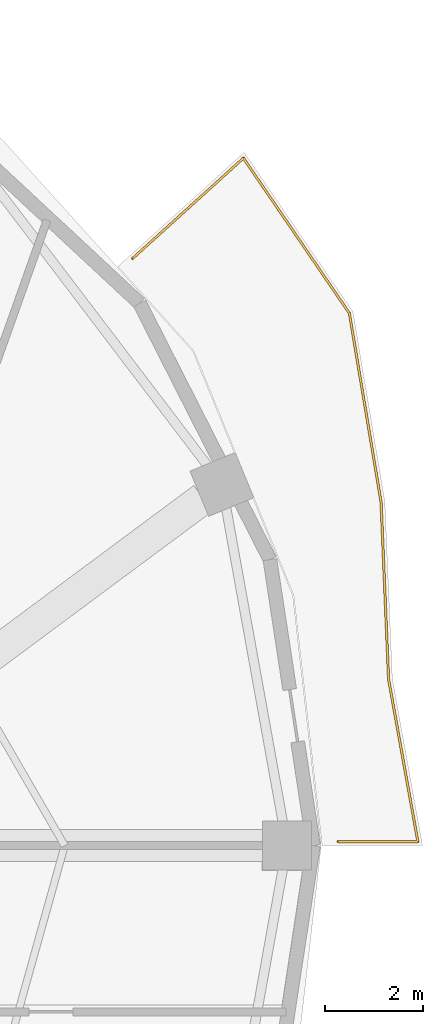
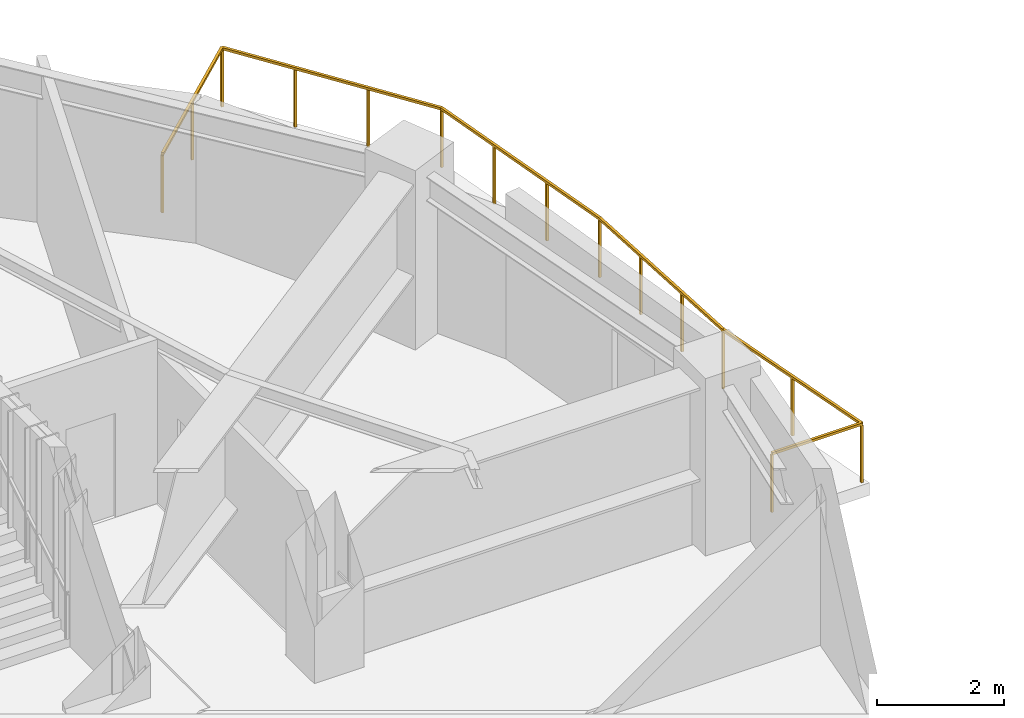
# One storey, part 10 of 10: 1 railing.
"""IFC4 building model written with IfcOpenShell, lengths in metres."""

import ifcopenshell
import ifcopenshell.guid

model = None  # the IFC model being written
_history = None  # IfcOwnerHistory: only IFC2X3 demands one
_inside = {}  # id of a spatial element -> (the spatial element, [elements in it])
_under = {}  # id of a project, library or spatial element -> (it, [spatial elements below it])
_declared = {}  # id of a project -> (the project, [libraries it declares])
_typed = {}  # id of a type object -> (the type object, [elements of that type])
_made_of = {}  # id of a material, layer set ... -> (it, [elements and type objects made of it])


def new_model(schema):
    """Start an empty IFC model of exactly this schema.

    Asked for "IFC4X3", IfcOpenShell would pick the latest addendum, in which some entities
    have other attributes; the version numbers below select the first issue.
    IFC2X3 requires an IfcOwnerHistory on every rooted entity: one is made here for all.
    """
    global model, _history
    if schema == "IFC4X3":
        model = ifcopenshell.file(schema_version=(4, 3, 0, 0))
    else:
        model = ifcopenshell.file(schema=schema)
    _inside.clear()
    _under.clear()
    _declared.clear()
    _typed.clear()
    _made_of.clear()
    _history = None
    if model.schema == "IFC2X3":
        org = make("IfcOrganization", Name="unknown")
        user = make(
            "IfcPersonAndOrganization",
            ThePerson=make("IfcPerson", FamilyName="unknown"),
            TheOrganization=org,
        )
        app = make(
            "IfcApplication",
            ApplicationDeveloper=org,
            Version="unknown",
            ApplicationFullName="unknown",
            ApplicationIdentifier="unknown",
        )
        _history = make(
            "IfcOwnerHistory",
            OwningUser=user,
            OwningApplication=app,
            ChangeAction="ADDED",
            CreationDate=0,
        )
    return model


def make(cls, **values):
    """One entity of the class cls with the attributes given. An attribute that is None is left unset."""
    return model.create_entity(
        cls, **{name: value for name, value in values.items() if value is not None}
    )


def rooted(cls, **values):
    """An entity with a GlobalId (a new one), such as an element, a storey or a relation."""
    return make(cls, GlobalId=ifcopenshell.guid.new(), OwnerHistory=_history, **values)


def si_unit(unit_type, name, prefix=None):
    """IfcSIUnit, for example si_unit("LENGTHUNIT", "METRE", prefix="MILLI")."""
    return make("IfcSIUnit", UnitType=unit_type, Prefix=prefix, Name=name)


def assignment(units):
    """IfcUnitAssignment: the units of a project."""
    return None if units is None else make("IfcUnitAssignment", Units=units)


def point(xyz):
    """IfcCartesianPoint."""
    return None if xyz is None else make("IfcCartesianPoint", Coordinates=xyz)


def direction(xyz):
    """IfcDirection."""
    return None if xyz is None else make("IfcDirection", DirectionRatios=xyz)


def frame(location, z_axis=None, x_axis=None):
    """IfcAxis2Placement3D, a coordinate frame: its origin and axes. An axis left out is left unset."""
    return make(
        "IfcAxis2Placement3D",
        Location=point(location),
        Axis=direction(z_axis),
        RefDirection=direction(x_axis),
    )


def frame_2d(location, x_axis=None):
    """IfcAxis2Placement2D, a coordinate frame in the plane: its origin and x axis."""
    return make(
        "IfcAxis2Placement2D", Location=point(location), RefDirection=direction(x_axis)
    )


def origin():
    """The frame at (0, 0, 0) with its axes left unset."""
    return frame((0.0, 0.0, 0.0))


def origin_2d():
    """The frame at (0, 0) in the plane with its x axis left unset."""
    return frame_2d((0.0, 0.0))


def place(relative_to, where):
    """IfcLocalPlacement: puts the frame where relative to a parent placement (None: the world)."""
    return make(
        "IfcLocalPlacement", PlacementRelTo=relative_to, RelativePlacement=where
    )


def context(
    kind, dimensions, precision=None, world=None, true_north=None, identifier=None
):
    """IfcGeometricRepresentationContext, for example the 3D "Model" context."""
    return make(
        "IfcGeometricRepresentationContext",
        ContextIdentifier=identifier,
        ContextType=kind,
        CoordinateSpaceDimension=dimensions,
        Precision=precision,
        WorldCoordinateSystem=world,
        TrueNorth=true_north,
    )


def subcontext(parent, identifier, kind, view, scale=None):
    """IfcGeometricRepresentationSubContext, for example "Body" below "Model"."""
    return make(
        "IfcGeometricRepresentationSubContext",
        ContextIdentifier=identifier,
        ContextType=kind,
        ParentContext=parent,
        TargetScale=scale,
        TargetView=view,
    )


def project(units=None, contexts=None):
    """IfcProject with its units and contexts."""
    return rooted(
        "IfcProject",
        Name="project",
        RepresentationContexts=contexts,
        UnitsInContext=assignment(units),
    )


def spatial(cls, under=None, at=None, **own):
    """A site, building, storey or space (cls), placed at a placement, below another one or the project."""
    s = rooted(cls, ObjectPlacement=at, **own)
    if under is not None:
        _under.setdefault(under.id(), (under, []))[1].append(s)
    return s


def profile(cls, at=None, kind="AREA", **sizes):
    """A parametric profile (cls). Its sizes go by their IFC names, for example OverallWidth=200.0."""
    return make(cls, ProfileType=kind, Position=at, **sizes)


def rectangle(**sizes):
    """IfcRectangleProfileDef."""
    return profile("IfcRectangleProfileDef", **sizes)


def extrude(swept, where, along, depth):
    """IfcExtrudedAreaSolid: the profile swept, set in the frame where, extruded along a direction by depth."""
    return make(
        "IfcExtrudedAreaSolid",
        SweptArea=swept,
        Position=where,
        ExtrudedDirection=direction(along),
        Depth=depth,
    )


def shape(context_of_items, identifier, shape_type, items):
    """IfcShapeRepresentation: the items that make up one representation, for example the "Body"."""
    return make(
        "IfcShapeRepresentation",
        ContextOfItems=context_of_items,
        RepresentationIdentifier=identifier,
        RepresentationType=shape_type,
        Items=items,
    )


def material(Name=None, Category=None):
    """IfcMaterial."""
    return make("IfcMaterial", Name=Name, Category=Category)


def made_of(thing, what):
    """Note that an element or type object is made of a material, layer set ...; save() writes the relation."""
    if what is not None:
        _made_of.setdefault(what.id(), (what, []))[1].append(thing)
    return thing


def type_object(cls, material=None, **own):
    """A type object (cls), such as IfcWallType, which elements share."""
    return made_of(rooted(cls, **own), material)


def element(
    cls,
    number,
    at=None,
    inside=None,
    cuts=None,
    type_object=None,
    material=None,
    context=None,
    identifier="Body",
    shape_type=None,
    held_by="IfcProductDefinitionShape",
    body=None,
    shapes=None,
    **own,
):
    """One element of the class cls, such as IfcWall. Its Tag is "e" and its number.

    at: its placement. inside: the storey or other place that contains it. cuts: it is an
    opening in that element (IfcRelVoidsElement). A single representation is given by context,
    identifier, shape_type and body (its items); several are given by shapes. held_by: the class
    of the entity that holds the representations. save() writes the other relations.
    """
    e = rooted(cls, Tag="e%d" % number, ObjectPlacement=at, **own)
    if body is not None:
        shapes = [shape(context, identifier, shape_type, body)]
    if shapes is not None:
        e.Representation = make(held_by, Representations=shapes)
    if inside is not None:
        _inside.setdefault(inside.id(), (inside, []))[1].append(e)
    if cuts is not None:
        rooted(
            "IfcRelVoidsElement", RelatingBuildingElement=cuts, RelatedOpeningElement=e
        )
    if type_object is not None:
        _typed.setdefault(type_object.id(), (type_object, []))[1].append(e)
    return made_of(e, material)


def aggregate(whole, parts):
    """IfcRelAggregates: a whole, such as a stair, and the parts it consists of."""
    return rooted("IfcRelAggregates", RelatingObject=whole, RelatedObjects=parts)


def save(model, path):
    """Write the relations noted so far, then the file.

    IfcRelAggregates (storeys below a building ...), IfcRelContainedInSpatialStructure (elements
    in a storey), IfcRelDefinesByType, IfcRelAssociatesMaterial and IfcRelDeclares: one each for
    every whole, place, type object, material and project.
    """
    for whole, parts in _under.values():
        aggregate(whole, parts)
    for where, things in _inside.values():
        rooted(
            "IfcRelContainedInSpatialStructure",
            RelatedElements=things,
            RelatingStructure=where,
        )
    for kind, things in _typed.values():
        rooted("IfcRelDefinesByType", RelatedObjects=things, RelatingType=kind)
    for what, things in _made_of.values():
        rooted("IfcRelAssociatesMaterial", RelatedObjects=things, RelatingMaterial=what)
    for by, libraries in _declared.values():
        rooted("IfcRelDeclares", RelatingContext=by, RelatedDefinitions=libraries)
    model.write(path)


model = new_model("IFC4")

# Units and contexts
model_context = context("Model", 3, precision=1e-05, world=origin(), true_north=direction((0.0, 1.0)))
body_context = subcontext(model_context, "Body", "Model", "MODEL_VIEW")
ifc_project = project(units=[si_unit("LENGTHUNIT", "METRE"), si_unit("AREAUNIT", "SQUARE_METRE"), si_unit("VOLUMEUNIT", "CUBIC_METRE"), si_unit("PLANEANGLEUNIT", "RADIAN"), si_unit("MASSUNIT", "GRAM", prefix="KILO")], contexts=[model_context])

# Site, building, storey
site_placement = place(None, origin())
site = spatial("IfcSite", under=ifc_project, at=site_placement, CompositionType="ELEMENT")
building_placement = place(site_placement, origin())
building = spatial("IfcBuilding", under=site, at=building_placement, Name="Haldorwick Loom Tower", CompositionType="ELEMENT")
storey_placement = place(building_placement, frame((0.0, 0.0, 269.550048828125)))
storey = spatial("IfcBuildingStorey", under=building, at=storey_placement, Name="L73", CompositionType="ELEMENT", Elevation=269.550048828125)

# Railing
ifc_material = material(Name="Galvanized Steel CSA G40.21 350W", Category="steel")
railing_type = type_object("IfcRailingType", Name="ARC-RLG-BAL115", PredefinedType="BALUSTRADE", material=ifc_material)
railing_placement = place(storey_placement, frame((57.177001953125, 38.005615234375, 0.0)))
element("IfcRailing", 1, at=railing_placement, inside=storey, type_object=railing_type, Name="L73 Outdoor Terrace Guardrail SLB-L73-BAL_ENE-1", PredefinedType="BALUSTRADE", context=body_context, shape_type="SweptSolid", body=[
    extrude(rectangle(XDim=0.048095703125, YDim=0.048095703125, at=origin_2d()), frame((0.0, 0.0, 1.1259765625), z_axis=(0.741584946857, 0.670858976683, 0.0), x_axis=(-0.670858976683, 0.741584946857, 0.0)), (0.0, 0.0, 1.0), 3.058349609375),
    extrude(rectangle(XDim=0.048095703125, YDim=0.048095703125, at=origin_2d()), frame((2.26806640625, 2.0517578125, 1.1259765625), z_axis=(0.564025089153, -0.825757651376, 0.0), x_axis=(0.825757651376, 0.564025089153, 0.0)), (0.0, 0.0, 1.0), 3.84033203125),
    extrude(rectangle(XDim=0.048095703125, YDim=0.048095703125, at=origin_2d()), frame((4.43408203125, -1.119384765625, 1.1259765625), z_axis=(0.165582589348, -0.986195926834, 0.0), x_axis=(0.986195926834, 0.165582589348, 0.0)), (0.0, 0.0, 1.0), 3.9130859375),
    extrude(rectangle(XDim=0.048095703125, YDim=0.048095703125, at=origin_2d()), frame((5.08203125, -4.978515625, 1.1259765625), z_axis=(0.042434606973, -0.999099246387, 0.0), x_axis=(0.999099246387, 0.042434606973, 0.0)), (0.0, 0.0, 1.0), 3.62451171875),
    extrude(rectangle(XDim=0.048095703125, YDim=0.048095703125, at=origin_2d()), frame((5.23583984375, -8.599853515625, 1.1259765625), z_axis=(0.112909688044, -0.99360525479, 0.0), x_axis=(0.99360525479, 0.112909688044, 0.0)), (0.0, 0.0, 1.0), 0.0107421875),
    extrude(rectangle(XDim=0.048095703125, YDim=0.048095703125, at=origin_2d()), frame((5.237060546875, -8.610595703125, 1.1259765625), z_axis=(0.17771177544, -0.98408258031, 0.0), x_axis=(0.98408258031, 0.17771177544, 0.0)), (0.0, 0.0, 1.0), 3.36865234375),
    extrude(rectangle(XDim=0.048095703125, YDim=0.048095703125, at=origin_2d()), frame((5.835693359375, -11.925537109375, 1.1259765625), z_axis=(-1.0, 0.0, 0.0), x_axis=(0.0, -1.0, 0.0)), (0.0, 0.0, 1.0), 1.6328125),
    extrude(rectangle(XDim=0.0419921875, YDim=0.0419921875, at=origin_2d()), origin(), (0.0, 0.0, 1.0), 1.101806640625),
    extrude(rectangle(XDim=0.0419921875, YDim=0.0419921875, at=origin_2d()), frame((1.134033203125, 1.02587890625, 0.0)), (0.0, 0.0, 1.0), 1.101806640625),
    extrude(rectangle(XDim=0.0419921875, YDim=0.0419921875, at=origin_2d()), frame((2.26806640625, 2.0517578125, 0.0)), (0.0, 0.0, 1.0), 1.101806640625),
    extrude(rectangle(XDim=0.0419921875, YDim=0.0419921875, at=origin_2d()), frame((2.989990234375, 0.99462890625, 0.0)), (0.0, 0.0, 1.0), 1.101806640625),
    extrude(rectangle(XDim=0.0419921875, YDim=0.0419921875, at=origin_2d()), frame((3.712158203125, -0.062255859375, 0.0)), (0.0, 0.0, 1.0), 1.101806640625),
    extrude(rectangle(XDim=0.0419921875, YDim=0.0419921875, at=origin_2d()), frame((4.43408203125, -1.119384765625, 0.0)), (0.0, 0.0, 1.0), 1.101806640625),
    extrude(rectangle(XDim=0.0419921875, YDim=0.0419921875, at=origin_2d()), frame((4.650146484375, -2.40576171875, 0.0)), (0.0, 0.0, 1.0), 1.101806640625),
    extrude(rectangle(XDim=0.0419921875, YDim=0.0419921875, at=origin_2d()), frame((4.865966796875, -3.692138671875, 0.0)), (0.0, 0.0, 1.0), 1.101806640625),
    extrude(rectangle(XDim=0.0419921875, YDim=0.0419921875, at=origin_2d()), frame((5.08203125, -4.978515625, 0.0)), (0.0, 0.0, 1.0), 1.101806640625),
    extrude(rectangle(XDim=0.0419921875, YDim=0.0419921875, at=origin_2d()), frame((5.13330078125, -6.185546875, 0.0)), (0.0, 0.0, 1.0), 1.101806640625),
    extrude(rectangle(XDim=0.0419921875, YDim=0.0419921875, at=origin_2d()), frame((5.1845703125, -7.392822265625, 0.0)), (0.0, 0.0, 1.0), 1.101806640625),
    extrude(rectangle(XDim=0.0419921875, YDim=0.0419921875, at=origin_2d()), frame((5.23583984375, -8.599853515625, 0.0)), (0.0, 0.0, 1.0), 1.101806640625),
    extrude(rectangle(XDim=0.0419921875, YDim=0.0419921875, at=origin_2d()), frame((5.536376953125, -10.26806640625, 0.0)), (0.0, 0.0, 1.0), 1.101806640625),
    extrude(rectangle(XDim=0.0419921875, YDim=0.0419921875, at=origin_2d()), frame((5.835693359375, -11.925537109375, 0.0)), (0.0, 0.0, 1.0), 1.101806640625),
    extrude(rectangle(XDim=0.0419921875, YDim=0.0419921875, at=origin_2d()), frame((4.202880859375, -11.925537109375, 0.0)), (0.0, 0.0, 1.0), 1.101806640625),
])

save(model, "model.ifc")
